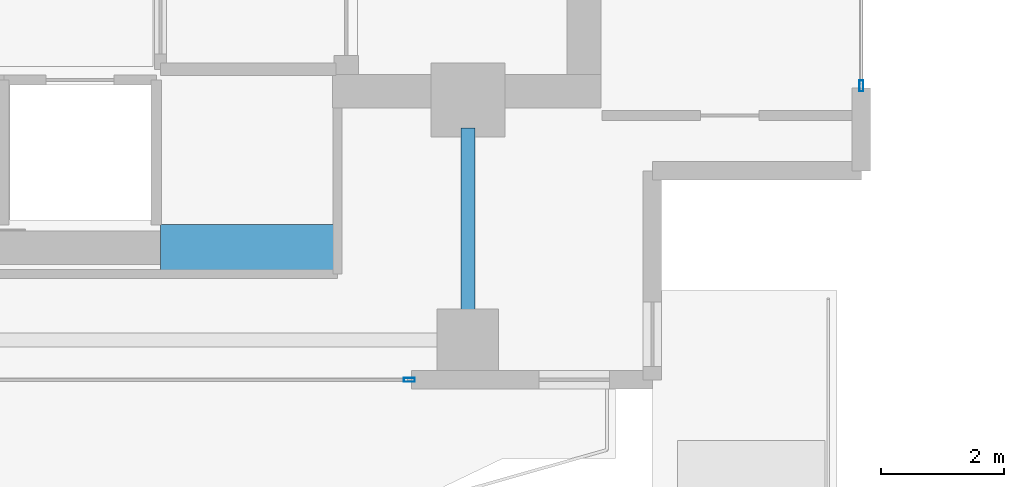
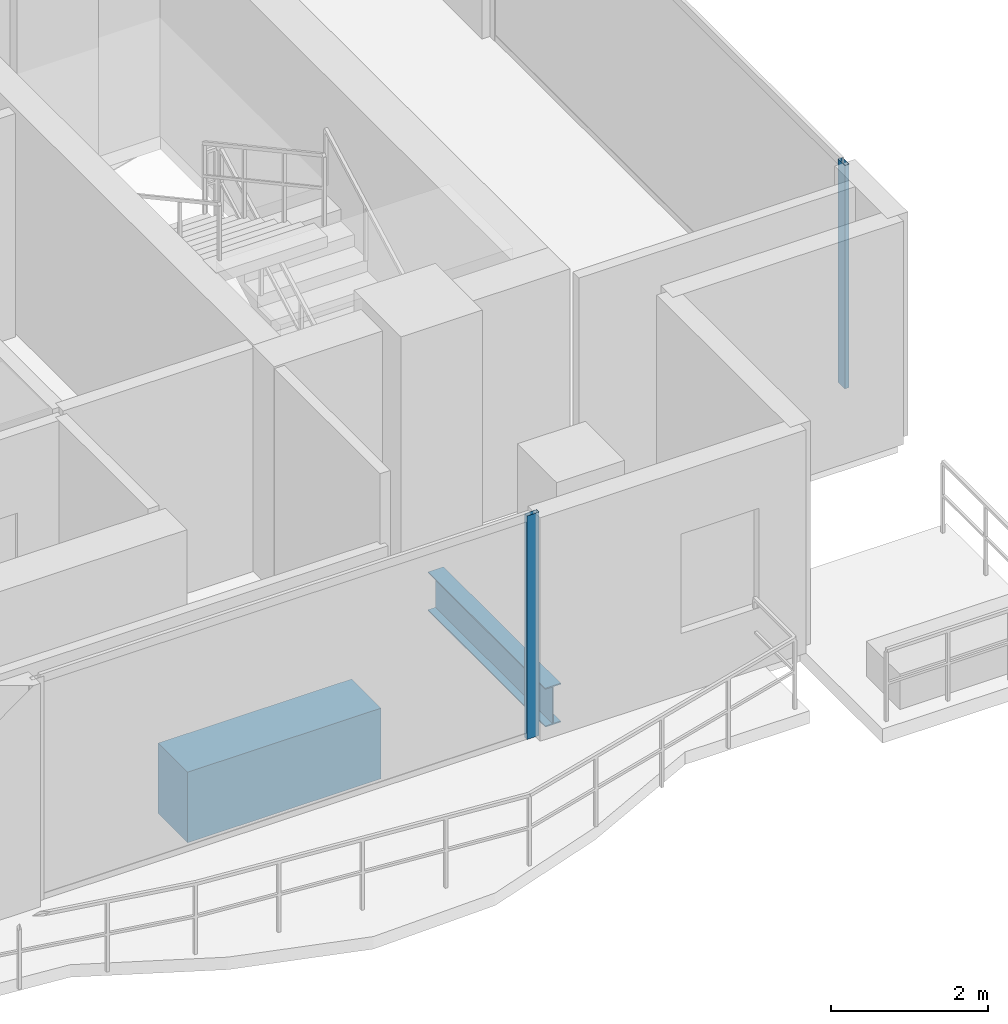
# One storey, part 8 of 25: 2 beams, 2 members, 2 elements without a shape of their own.
"""IFC4 building model written with IfcOpenShell, lengths in metres."""

from ifc_helpers import new_model, si_unit, direction, frame, origin, origin_2d, place, context, subcontext, project, spatial, rectangle, hollow_rectangle, i_section, extrude, material, layer, layer_set, material_profile, profile_set, type_object, element, aggregate, save


model = new_model("IFC4")

# Units and contexts
model_context = context("Model", 3, precision=1e-05, world=origin(), true_north=direction((0.0, 1.0)))
body_context = subcontext(model_context, "Body", "Model", "MODEL_VIEW")
ifc_project = project(units=[si_unit("LENGTHUNIT", "METRE"), si_unit("AREAUNIT", "SQUARE_METRE"), si_unit("VOLUMEUNIT", "CUBIC_METRE"), si_unit("PLANEANGLEUNIT", "RADIAN"), si_unit("MASSUNIT", "GRAM", prefix="KILO")], contexts=[model_context])

# Site, building, storey
site_placement = place(None, origin())
site = spatial("IfcSite", under=ifc_project, at=site_placement, CompositionType="ELEMENT")
building_placement = place(site_placement, origin())
building = spatial("IfcBuilding", under=site, at=building_placement, Name="Zuhayl Quay Hotel", CompositionType="ELEMENT")
storey_placement = place(building_placement, frame((0.0, 0.0, 250.75)))
storey = spatial("IfcBuildingStorey", under=building, at=storey_placement, Name="L63", CompositionType="ELEMENT", Elevation=250.75)

# Beams
ifc_material_1 = material(Name="Steel ASTM A992 Grade 50", Category="steel")
ifc_material_profile_1 = material_profile(ifc_material_1, i_section(OverallWidth=0.22802734375, OverallDepth=0.60693359375, WebThickness=0.01123046875, FlangeThickness=0.017333984375, at=origin_2d()), Name="W24X76")
ifc_profile_set_1 = profile_set([ifc_material_profile_1], Name="Steel ASTM A992 Grade 50")
beam_type_1 = type_object("IfcBeamType", Name="BM_B3_W24X76", PredefinedType="BEAM", material=ifc_profile_set_1)
beam_1_placement = place(storey_placement, frame((13.800048828125, 1.110107421875, -0.5234375), z_axis=(0.0, 1.0, 0.0), x_axis=(-1.0, 0.0, 0.0)))
element("IfcBeam", 1, at=beam_1_placement, inside=storey, type_object=beam_type_1, Name="L63 Floor Beam FG_S_L63_4", PredefinedType="BEAM", context=body_context, shape_type="SweptSolid", body=[
    extrude(i_section(OverallWidth=0.22802734375, OverallDepth=0.60693359375, WebThickness=0.01123046875, FlangeThickness=0.017333984375, at=origin_2d()), origin(), (0.0, 0.0, 1.0), 2.989990234375),
])
ifc_material_2 = material(Name="Concrete C60/75", Category="concrete")
ifc_material_profile_2 = material_profile(ifc_material_2, rectangle(XDim=0.75, YDim=1.10009765625, at=origin_2d()), Name="RC750X1100")
ifc_profile_set_2 = profile_set([ifc_material_profile_2], Name="Concrete C60/75")
beam_type_2 = type_object("IfcBeamType", Name="BM_CB2_RC750", PredefinedType="T_BEAM", material=ifc_profile_set_2)
beam_2_placement = place(storey_placement, frame((8.800048828125, 2.14990234375, -0.77001953125), z_axis=(1.0, 0.0, 0.0), x_axis=(0.0, 1.0, 0.0)))
element("IfcBeam", 2, at=beam_2_placement, inside=storey, type_object=beam_type_2, Name="L63 Core Coupling Beam SE", PredefinedType="T_BEAM", context=body_context, shape_type="SweptSolid", body=[
    extrude(rectangle(XDim=0.75, YDim=1.10009765625, at=origin_2d()), origin(), (0.0, 0.0, 1.0), 2.849853515625),
])

# Curtain wall, member
ifc_material_3 = material(Name="Anodised Aluminium 6063-T6", Category="aluminium")
ifc_layer = layer(ifc_material_3, 0.169921875, Name="Anodised Aluminium 6063-T6", Category="aluminium")
ifc_layer_set = layer_set([ifc_layer], Name="Anodised Aluminium 6063-T6")
curtain_wall_type = type_object("IfcCurtainWallType", Name="CW_SYS_Z4", PredefinedType="USERDEFINED", material=ifc_layer_set)
curtain_wall_1_placement = place(storey_placement, origin())
curtain_wall_1 = element("IfcCurtainWall", 3, at=curtain_wall_1_placement, inside=storey, type_object=curtain_wall_type, Name="L63 Curtain Wall ENV_L63_E14_CW1", ObjectType="UNITISED CURTAIN WALL", PredefinedType="USERDEFINED")
ifc_material_4 = material(Name="Black-anodised aluminium 6063-T6", Category="aluminium")
ifc_material_profile_3 = material_profile(ifc_material_4, hollow_rectangle(XDim=0.06494140625, YDim=0.179931640625, WallThickness=0.00341796875, at=origin_2d()), Name="ALU180X65")
ifc_profile_set_3 = profile_set([ifc_material_profile_3], Name="Black-anodised aluminium 6063-T6")
member_type = type_object("IfcMemberType", Name="MB_CW_MUL_180", PredefinedType="MULLION", material=ifc_profile_set_3)
member_1_placement = place(storey_placement, frame((20.199951171875, 4.782470703125, 0.0), z_axis=(0.0, 0.0, 1.0), x_axis=(1.0, 0.0, 0.0)))
member_1 = element("IfcMember", 4, at=member_1_placement, type_object=member_type, Name="CW-Z4 mullion 2", PredefinedType="MULLION", context=body_context, shape_type="SweptSolid", body=[
    extrude(hollow_rectangle(XDim=0.06494140625, YDim=0.179931640625, WallThickness=0.00341796875, at=origin_2d()), origin(), (0.0, 0.0, 1.0), 3.47998046875),
])
aggregate(curtain_wall_1, [member_1])

curtain_wall_2_placement = place(storey_placement, origin())
curtain_wall_2 = element("IfcCurtainWall", 5, at=curtain_wall_2_placement, inside=storey, type_object=curtain_wall_type, Name="L63 Curtain Wall ENV_L63_S_CW1", ObjectType="UNITISED CURTAIN WALL", PredefinedType="USERDEFINED")
member_2_placement = place(storey_placement, frame((12.847412109375, 0.0, 0.0), z_axis=(0.0, 0.0, 1.0), x_axis=(0.0, -1.0, 0.0)))
member_2 = element("IfcMember", 6, at=member_2_placement, type_object=member_type, Name="CW-Z4 mullion 1", PredefinedType="MULLION", context=body_context, shape_type="SweptSolid", body=[
    extrude(hollow_rectangle(XDim=0.06494140625, YDim=0.179931640625, WallThickness=0.00341796875, at=origin_2d()), origin(), (0.0, 0.0, 1.0), 3.47998046875),
])
aggregate(curtain_wall_2, [member_2])

save(model, "model.ifc")
